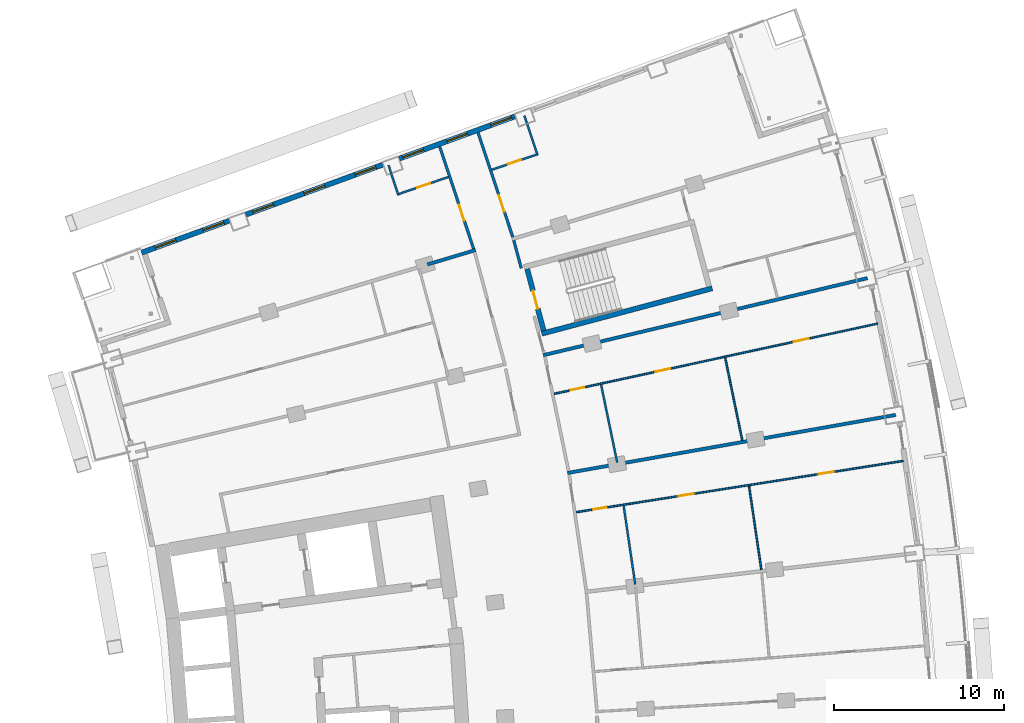
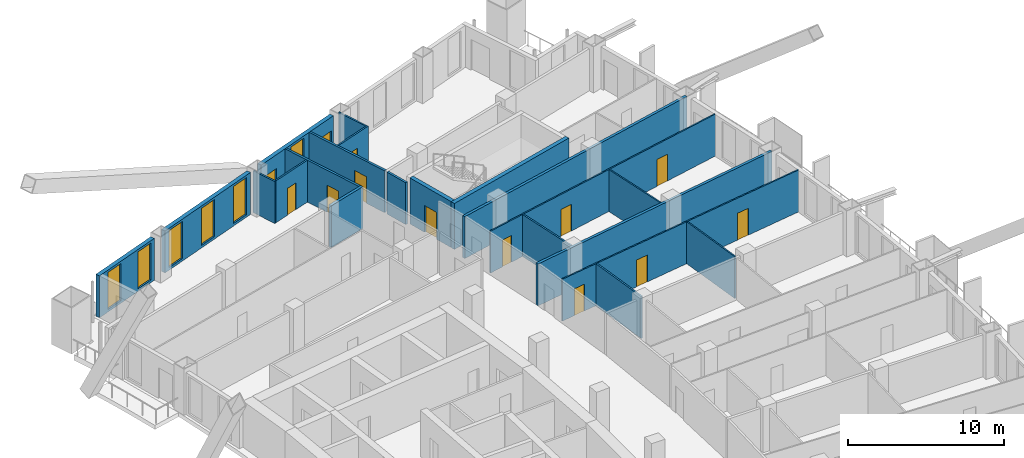
# One storey, part 20 of 25: 21 walls, 11 doors, 8 windows, 19 openings.
"""IFC4 building model written with IfcOpenShell, lengths in metres."""

from ifc_helpers import new_model, si_unit, direction, frame, frame_2d, origin, place, context, subcontext, project, spatial, rectangle, extrude, material, layer, layer_set, type_object, element, fill, save


model = new_model("IFC4")

# Units and contexts
model_context = context("Model", 3, precision=1e-05, world=origin(), true_north=direction((0.0, 1.0)))
body_context = subcontext(model_context, "Body", "Model", "MODEL_VIEW")
ifc_project = project(units=[si_unit("LENGTHUNIT", "METRE"), si_unit("AREAUNIT", "SQUARE_METRE"), si_unit("VOLUMEUNIT", "CUBIC_METRE"), si_unit("PLANEANGLEUNIT", "RADIAN"), si_unit("MASSUNIT", "GRAM", prefix="KILO")], contexts=[model_context])

# Site, building, storey
site_placement = place(None, origin())
site = spatial("IfcSite", under=ifc_project, at=site_placement, CompositionType="ELEMENT")
building_placement = place(site_placement, origin())
building = spatial("IfcBuilding", under=site, at=building_placement, Name="Alderwake Tower", CompositionType="ELEMENT")
storey_placement = place(building_placement, frame((0.0, 0.0, 114.800048828125)))
storey = spatial("IfcBuildingStorey", under=building, at=storey_placement, Name="L28", CompositionType="ELEMENT", Elevation=114.800048828125)

# Wall
ifc_material_1 = material(Name="Concrete C70/85", Category="concrete")
ifc_layer_1 = layer(ifc_material_1, 0.300048828125)
ifc_layer_set_1 = layer_set([ifc_layer_1], Name="Core wall stair enclosure 300 C70-85")
wall_type_1 = type_object("IfcWallType", Name="Core wall stair enclosure 300 C70-85", PredefinedType="SHEAR", material=ifc_layer_set_1)
wall_1_placement = place(storey_placement, frame((37.75390625, 90.268798828125, 0.0), z_axis=(0.0, 0.0, 1.0), x_axis=(0.966309214305, 0.257383958996, 0.0)))
element("IfcWall", 1, at=wall_1_placement, inside=storey, type_object=wall_type_1, Name="Core wall CW.084", PredefinedType="SHEAR", context=body_context, shape_type="SweptSolid", body=[
    extrude(rectangle(XDim=10.360107421875, YDim=0.300048828125, at=frame_2d((5.18017578125, 0.0))), origin(), (0.0, 0.0, 1.0), 3.599853515625),
])

# Wall, opening, door
wall_2_placement = place(storey_placement, frame((37.8603515625, 90.452392578125, 0.0), z_axis=(0.0, 0.0, 1.0), x_axis=(-0.257411420208, 0.966301899381, 0.0)))
wall_2 = element("IfcWall", 2, at=wall_2_placement, inside=storey, type_object=wall_type_1, Name="Core wall CW.083", PredefinedType="SHEAR", context=body_context, shape_type="SweptSolid", body=[
    extrude(rectangle(XDim=3.750244140625, YDim=0.300048828125, at=frame_2d((1.875, 0.0))), origin(), (0.0, 0.0, 1.0), 3.599853515625),
])
opening_1_placement = place(wall_2_placement, frame((1.324951171875, 0.0, 0.0)))
opening_1 = element("IfcOpeningElement", 3, at=opening_1_placement, cuts=wall_2, Name="Opening C062", PredefinedType="OPENING", context=body_context, shape_type="SweptSolid", body=[
    extrude(rectangle(XDim=1.10009765625, YDim=2.10009765625, at=frame_2d((0.550048828125, 1.050048828125))), frame((0.0, 0.159912109375, 0.0), z_axis=(0.0, -1.0, 0.0), x_axis=(1.0, 0.0, 0.0)), (0.0, 0.0, 1.0), 0.320068359375),
])
ifc_material_2 = material(Name="Steel-framed fire door leaf", Category="steel")
door_type_1 = type_object("IfcDoorType", Name="Core stair door 1100 fire-rated", OperationType="SINGLE_SWING_LEFT", PredefinedType="DOOR", material=ifc_material_2)
door_1_placement = place(opening_1_placement, origin())
door_1 = element("IfcDoor", 4, at=door_1_placement, inside=storey, type_object=door_type_1, Name="Stair door", OperationType="SINGLE_SWING_LEFT", OverallHeight=2.10009765625, OverallWidth=1.10009765625, PredefinedType="DOOR", context=body_context, shape_type="SweptSolid", body=[
    extrude(rectangle(XDim=1.10009765625, YDim=2.10009765625, at=frame_2d((0.550048828125, 1.050048828125))), frame((0.0, 0.02490234375, 0.0), z_axis=(0.0, -1.0, 0.0), x_axis=(1.0, 0.0, 0.0)), (0.0, 0.0, 1.0), 0.050048828125),
])
fill(opening_1, door_1)

ifc_material_3 = material(Name="Gypsum board on metal studs, rated")
ifc_layer_2 = layer(ifc_material_3, 0.159912109375)
ifc_layer_set_2 = layer_set([ifc_layer_2], Name="Corridor wall 160")
wall_type_2 = type_object("IfcWallType", Name="Corridor wall 160", PredefinedType="PARTITIONING", material=ifc_layer_set_2)
wall_3_placement = place(storey_placement, frame((33.75146484375, 95.2548828125, 0.0), z_axis=(0.0, 0.0, 1.0), x_axis=(-0.315406156735, 0.948956772616, 0.0)))
wall_3 = element("IfcWall", 5, at=wall_3_placement, inside=storey, type_object=wall_type_2, Name="WL/L28/W20", PredefinedType="PARTITIONING", context=body_context, shape_type="SweptSolid", body=[
    extrude(rectangle(XDim=6.330078125, YDim=0.159912109375, at=frame_2d((3.1650390625, 0.0))), origin(), (0.0, 0.0, 1.0), 3.280029296875),
])
opening_2_placement = place(wall_3_placement, frame((1.737060546875, 0.0, 0.0)))
opening_2 = element("IfcOpeningElement", 6, at=opening_2_placement, cuts=wall_3, Name="Opening R08-U14.1", PredefinedType="OPENING", context=body_context, shape_type="SweptSolid", body=[
    extrude(rectangle(XDim=1.0, YDim=2.10009765625, at=frame_2d((0.5, 1.050048828125))), frame((0.0, 0.08984375, 0.0), z_axis=(0.0, -1.0, 0.0), x_axis=(1.0, 0.0, 0.0)), (0.0, 0.0, 1.0), 0.179931640625),
])
ifc_material_4 = material(Name="Solid timber leaf in steel frame", Category="steel")
door_type_2 = type_object("IfcDoorType", Name="Flat entrance door 1000 fire-rated", OperationType="SINGLE_SWING_LEFT", PredefinedType="DOOR", material=ifc_material_4)
door_2_placement = place(opening_2_placement, origin())
door_2 = element("IfcDoor", 7, at=door_2_placement, inside=storey, type_object=door_type_2, Name="DR/L28/U14.1", OperationType="SINGLE_SWING_LEFT", OverallHeight=2.10009765625, OverallWidth=1.0, PredefinedType="DOOR", context=body_context, shape_type="SweptSolid", body=[
    extrude(rectangle(XDim=1.0, YDim=2.10009765625, at=frame_2d((0.5, 1.050048828125))), frame((0.0, 0.02490234375, 0.0), z_axis=(0.0, -1.0, 0.0), x_axis=(1.0, 0.0, 0.0)), (0.0, 0.0, 1.0), 0.050048828125),
])
fill(opening_2, door_2)

wall_4_placement = place(storey_placement, frame((34.010986328125, 102.083984375, 0.0), z_axis=(0.0, 0.0, 1.0), x_axis=(0.315140606423, -0.949044992708, 0.0)))
wall_4 = element("IfcWall", 8, at=wall_4_placement, inside=storey, type_object=wall_type_2, Name="WL/L28/W28", PredefinedType="PARTITIONING", context=body_context, shape_type="SweptSolid", body=[
    extrude(rectangle(XDim=6.46875, YDim=0.159912109375, at=frame_2d((3.234375, 0.0))), origin(), (0.0, 0.0, 1.0), 3.280029296875),
])
opening_3_placement = place(wall_4_placement, frame((3.897705078125, 0.0, 0.0)))
opening_3 = element("IfcOpeningElement", 9, at=opening_3_placement, cuts=wall_4, Name="Opening R08-U04.1", PredefinedType="OPENING", context=body_context, shape_type="SweptSolid", body=[
    extrude(rectangle(XDim=1.0, YDim=2.10009765625, at=frame_2d((0.5, 1.050048828125))), frame((0.0, 0.08984375, 0.0), z_axis=(0.0, -1.0, 0.0), x_axis=(1.0, 0.0, 0.0)), (0.0, 0.0, 1.0), 0.179931640625),
])
door_3_placement = place(opening_3_placement, origin())
door_3 = element("IfcDoor", 10, at=door_3_placement, inside=storey, type_object=door_type_2, Name="DR/L28/U04.1", OperationType="SINGLE_SWING_LEFT", OverallHeight=2.10009765625, OverallWidth=1.0, PredefinedType="DOOR", context=body_context, shape_type="SweptSolid", body=[
    extrude(rectangle(XDim=1.0, YDim=2.10009765625, at=frame_2d((0.5, 1.050048828125))), frame((0.0, 0.02490234375, 0.0), z_axis=(0.0, -1.0, 0.0), x_axis=(1.0, 0.0, 0.0)), (0.0, 0.0, 1.0), 0.050048828125),
])
fill(opening_3, door_3)

# Wall
wall_5_placement = place(storey_placement, frame((36.549072265625, 94.110107421875, 0.0), z_axis=(0.0, 0.0, 1.0), x_axis=(-0.259813977097, 0.965658685719, 0.0)))
element("IfcWall", 11, at=wall_5_placement, inside=storey, type_object=wall_type_2, Name="WL/L28/W31", PredefinedType="PARTITIONING", context=body_context, shape_type="SweptSolid", body=[
    extrude(rectangle(XDim=1.70166015625, YDim=0.159912109375, at=frame_2d((0.850830078125, 0.0))), origin(), (0.0, 0.0, 1.0), 3.280029296875),
])

# Wall, openings, windows
ifc_material_5 = material(Name="Bronze metal cladding on lightweight framing")
ifc_layer_3 = layer(ifc_material_5, 0.300048828125)
ifc_layer_set_3 = layer_set([ifc_layer_3], Name="External wall EW2 bronze metal cladding")
wall_type_3 = type_object("IfcWallType", Name="External wall EW2 bronze metal cladding", PredefinedType="SOLIDWALL", material=ifc_layer_set_3)
wall_6_placement = place(storey_placement, frame((36.16845703125, 103.0322265625, 0.0), z_axis=(0.0, 0.0, 1.0), x_axis=(-0.939375665231, -0.342889719256, 0.0)))
wall_6 = element("IfcWall", 12, at=wall_6_placement, inside=storey, type_object=wall_type_3, Name="External wall 27", PredefinedType="SOLIDWALL", context=body_context, shape_type="SweptSolid", body=[
    extrude(rectangle(XDim=7.212646484375, YDim=0.300048828125, at=frame_2d((3.6064453125, 0.0))), origin(), (0.0, 0.0, 1.0), 3.280029296875),
])
opening_4_placement = place(wall_6_placement, frame((0.20068359375, 0.0, 1.0)))
opening_4 = element("IfcOpeningElement", 13, at=opening_4_placement, cuts=wall_6, Name="Opening W2", PredefinedType="OPENING", context=body_context, shape_type="SweptSolid", body=[
    extrude(rectangle(XDim=1.300048828125, YDim=1.199951171875, at=frame_2d((0.64990234375, 0.60009765625))), frame((0.0, 0.159912109375, 0.0), z_axis=(0.0, -1.0, 0.0), x_axis=(1.0, 0.0, 0.0)), (0.0, 0.0, 1.0), 0.320068359375),
])
opening_5_placement = place(wall_6_placement, frame((2.956298828125, 0.0, 0.199951171875)))
opening_5 = element("IfcOpeningElement", 14, at=opening_5_placement, cuts=wall_6, Name="Opening W1", PredefinedType="OPENING", context=body_context, shape_type="SweptSolid", body=[
    extrude(rectangle(XDim=1.300048828125, YDim=2.89990234375, at=frame_2d((0.64990234375, 1.449951171875))), frame((0.0, 0.159912109375, 0.0), z_axis=(0.0, -1.0, 0.0), x_axis=(1.0, 0.0, 0.0)), (0.0, 0.0, 1.0), 0.320068359375),
])
opening_6_placement = place(wall_6_placement, frame((5.7119140625, 0.0, 1.0)))
opening_6 = element("IfcOpeningElement", 15, at=opening_6_placement, cuts=wall_6, Name="Opening W2", PredefinedType="OPENING", context=body_context, shape_type="SweptSolid", body=[
    extrude(rectangle(XDim=1.300048828125, YDim=1.199951171875, at=frame_2d((0.64990234375, 0.60009765625))), frame((0.0, 0.159912109375, 0.0), z_axis=(0.0, -1.0, 0.0), x_axis=(1.0, 0.0, 0.0)), (0.0, 0.0, 1.0), 0.320068359375),
])
ifc_material_6 = material(Name="Bronze tinted glass in aluminium frame", Category="aluminium")
window_type_1 = type_object("IfcWindowType", Name="Window W1 tall fixed and vent", PartitioningType="DOUBLE_PANEL_VERTICAL", PredefinedType="WINDOW", material=ifc_material_6)
window_1_placement = place(opening_5_placement, origin())
window_1 = element("IfcWindow", 16, at=window_1_placement, inside=storey, type_object=window_type_1, Name="Window W1 tall fixed and vent", OverallHeight=2.89990234375, OverallWidth=1.300048828125, PartitioningType="DOUBLE_PANEL_VERTICAL", PredefinedType="WINDOW", context=body_context, shape_type="SweptSolid", body=[
    extrude(rectangle(XDim=1.300048828125, YDim=2.89990234375, at=frame_2d((0.64990234375, 1.449951171875))), frame((0.0, 0.030029296875, 0.0), z_axis=(0.0, -1.0, 0.0), x_axis=(1.0, 0.0, 0.0)), (0.0, 0.0, 1.0), 0.06005859375),
])
fill(opening_5, window_1)
ifc_material_7 = material(Name="Bronze tinted glass in aluminium frame", Category="aluminium")
window_type_2 = type_object("IfcWindowType", Name="Window W2 kitchen and bath", PartitioningType="SINGLE_PANEL", PredefinedType="WINDOW", material=ifc_material_7)
window_2_placement = place(opening_4_placement, origin())
window_2 = element("IfcWindow", 17, at=window_2_placement, inside=storey, type_object=window_type_2, Name="Window W2 kitchen and bath", OverallHeight=1.199951171875, OverallWidth=1.300048828125, PartitioningType="SINGLE_PANEL", PredefinedType="WINDOW", context=body_context, shape_type="SweptSolid", body=[
    extrude(rectangle(XDim=1.300048828125, YDim=1.199951171875, at=frame_2d((0.64990234375, 0.60009765625))), frame((0.0, 0.030029296875, 0.0), z_axis=(0.0, -1.0, 0.0), x_axis=(1.0, 0.0, 0.0)), (0.0, 0.0, 1.0), 0.06005859375),
])
fill(opening_4, window_2)
window_3_placement = place(opening_6_placement, origin())
window_3 = element("IfcWindow", 18, at=window_3_placement, inside=storey, type_object=window_type_2, Name="Window W2 kitchen and bath", OverallHeight=1.199951171875, OverallWidth=1.300048828125, PartitioningType="SINGLE_PANEL", PredefinedType="WINDOW", context=body_context, shape_type="SweptSolid", body=[
    extrude(rectangle(XDim=1.300048828125, YDim=1.199951171875, at=frame_2d((0.64990234375, 0.60009765625))), frame((0.0, 0.030029296875, 0.0), z_axis=(0.0, -1.0, 0.0), x_axis=(1.0, 0.0, 0.0)), (0.0, 0.0, 1.0), 0.06005859375),
])
fill(opening_6, window_3)

wall_7_placement = place(storey_placement, frame((28.402587890625, 100.197509765625, 0.0), z_axis=(0.0, 0.0, 1.0), x_axis=(-0.939364770023, -0.342919566137, 0.0)))
wall_7 = element("IfcWall", 19, at=wall_7_placement, inside=storey, type_object=wall_type_3, Name="External wall 28", PredefinedType="SOLIDWALL", context=body_context, shape_type="SweptSolid", body=[
    extrude(rectangle(XDim=8.54541015625, YDim=0.300048828125, at=frame_2d((4.272705078125, 0.0))), origin(), (0.0, 0.0, 1.0), 3.280029296875),
])
opening_7_placement = place(wall_7_placement, frame((0.4228515625, 0.0, 0.199951171875)))
opening_7 = element("IfcOpeningElement", 20, at=opening_7_placement, cuts=wall_7, Name="Opening W1", PredefinedType="OPENING", context=body_context, shape_type="SweptSolid", body=[
    extrude(rectangle(XDim=1.300048828125, YDim=2.89990234375, at=frame_2d((0.64990234375, 1.449951171875))), frame((0.0, 0.159912109375, 0.0), z_axis=(0.0, -1.0, 0.0), x_axis=(1.0, 0.0, 0.0)), (0.0, 0.0, 1.0), 0.320068359375),
])
opening_8_placement = place(wall_7_placement, frame((3.622802734375, 0.0, 0.199951171875)))
opening_8 = element("IfcOpeningElement", 21, at=opening_8_placement, cuts=wall_7, Name="Opening W1", PredefinedType="OPENING", context=body_context, shape_type="SweptSolid", body=[
    extrude(rectangle(XDim=1.300048828125, YDim=2.89990234375, at=frame_2d((0.64990234375, 1.449951171875))), frame((0.0, 0.159912109375, 0.0), z_axis=(0.0, -1.0, 0.0), x_axis=(1.0, 0.0, 0.0)), (0.0, 0.0, 1.0), 0.320068359375),
])
opening_9_placement = place(wall_7_placement, frame((6.822998046875, 0.0, 0.199951171875)))
opening_9 = element("IfcOpeningElement", 22, at=opening_9_placement, cuts=wall_7, Name="Opening W1", PredefinedType="OPENING", context=body_context, shape_type="SweptSolid", body=[
    extrude(rectangle(XDim=1.300048828125, YDim=2.89990234375, at=frame_2d((0.64990234375, 1.449951171875))), frame((0.0, 0.159912109375, 0.0), z_axis=(0.0, -1.0, 0.0), x_axis=(1.0, 0.0, 0.0)), (0.0, 0.0, 1.0), 0.320068359375),
])
window_4_placement = place(opening_7_placement, origin())
window_4 = element("IfcWindow", 23, at=window_4_placement, inside=storey, type_object=window_type_1, Name="Window W1 tall fixed and vent", OverallHeight=2.89990234375, OverallWidth=1.300048828125, PartitioningType="DOUBLE_PANEL_VERTICAL", PredefinedType="WINDOW", context=body_context, shape_type="SweptSolid", body=[
    extrude(rectangle(XDim=1.300048828125, YDim=2.89990234375, at=frame_2d((0.64990234375, 1.449951171875))), frame((0.0, 0.030029296875, 0.0), z_axis=(0.0, -1.0, 0.0), x_axis=(1.0, 0.0, 0.0)), (0.0, 0.0, 1.0), 0.06005859375),
])
fill(opening_7, window_4)
window_5_placement = place(opening_8_placement, origin())
window_5 = element("IfcWindow", 24, at=window_5_placement, inside=storey, type_object=window_type_1, Name="Window W1 tall fixed and vent", OverallHeight=2.89990234375, OverallWidth=1.300048828125, PartitioningType="DOUBLE_PANEL_VERTICAL", PredefinedType="WINDOW", context=body_context, shape_type="SweptSolid", body=[
    extrude(rectangle(XDim=1.300048828125, YDim=2.89990234375, at=frame_2d((0.64990234375, 1.449951171875))), frame((0.0, 0.030029296875, 0.0), z_axis=(0.0, -1.0, 0.0), x_axis=(1.0, 0.0, 0.0)), (0.0, 0.0, 1.0), 0.06005859375),
])
fill(opening_8, window_5)
window_6_placement = place(opening_9_placement, origin())
window_6 = element("IfcWindow", 25, at=window_6_placement, inside=storey, type_object=window_type_1, Name="Window W1 tall fixed and vent", OverallHeight=2.89990234375, OverallWidth=1.300048828125, PartitioningType="DOUBLE_PANEL_VERTICAL", PredefinedType="WINDOW", context=body_context, shape_type="SweptSolid", body=[
    extrude(rectangle(XDim=1.300048828125, YDim=2.89990234375, at=frame_2d((0.64990234375, 1.449951171875))), frame((0.0, 0.030029296875, 0.0), z_axis=(0.0, -1.0, 0.0), x_axis=(1.0, 0.0, 0.0)), (0.0, 0.0, 1.0), 0.06005859375),
])
fill(opening_9, window_6)

wall_8_placement = place(storey_placement, frame((19.38427734375, 96.905517578125, 0.0), z_axis=(0.0, 0.0, 1.0), x_axis=(-0.939366897407, -0.342913738506, 0.0)))
wall_8 = element("IfcWall", 26, at=wall_8_placement, inside=storey, type_object=wall_type_3, Name="External wall 29", PredefinedType="SOLIDWALL", context=body_context, shape_type="SweptSolid", body=[
    extrude(rectangle(XDim=5.474365234375, YDim=0.300048828125, at=frame_2d((2.7373046875, 0.0))), origin(), (0.0, 0.0, 1.0), 3.280029296875),
])
opening_10_placement = place(wall_8_placement, frame((0.322998046875, 0.0, 0.199951171875)))
opening_10 = element("IfcOpeningElement", 27, at=opening_10_placement, cuts=wall_8, Name="Opening W1", PredefinedType="OPENING", context=body_context, shape_type="SweptSolid", body=[
    extrude(rectangle(XDim=1.300048828125, YDim=2.89990234375, at=frame_2d((0.64990234375, 1.449951171875))), frame((0.0, 0.159912109375, 0.0), z_axis=(0.0, -1.0, 0.0), x_axis=(1.0, 0.0, 0.0)), (0.0, 0.0, 1.0), 0.320068359375),
])
opening_11_placement = place(wall_8_placement, frame((3.32373046875, 0.0, 0.199951171875)))
opening_11 = element("IfcOpeningElement", 28, at=opening_11_placement, cuts=wall_8, Name="Opening W1", PredefinedType="OPENING", context=body_context, shape_type="SweptSolid", body=[
    extrude(rectangle(XDim=1.300048828125, YDim=2.89990234375, at=frame_2d((0.64990234375, 1.449951171875))), frame((0.0, 0.159912109375, 0.0), z_axis=(0.0, -1.0, 0.0), x_axis=(1.0, 0.0, 0.0)), (0.0, 0.0, 1.0), 0.320068359375),
])
window_7_placement = place(opening_10_placement, origin())
window_7 = element("IfcWindow", 29, at=window_7_placement, inside=storey, type_object=window_type_1, Name="Window W1 tall fixed and vent", OverallHeight=2.89990234375, OverallWidth=1.300048828125, PartitioningType="DOUBLE_PANEL_VERTICAL", PredefinedType="WINDOW", context=body_context, shape_type="SweptSolid", body=[
    extrude(rectangle(XDim=1.300048828125, YDim=2.89990234375, at=frame_2d((0.64990234375, 1.449951171875))), frame((0.0, 0.030029296875, 0.0), z_axis=(0.0, -1.0, 0.0), x_axis=(1.0, 0.0, 0.0)), (0.0, 0.0, 1.0), 0.06005859375),
])
fill(opening_10, window_7)
window_8_placement = place(opening_11_placement, origin())
window_8 = element("IfcWindow", 30, at=window_8_placement, inside=storey, type_object=window_type_1, Name="Window W1 tall fixed and vent", OverallHeight=2.89990234375, OverallWidth=1.300048828125, PartitioningType="DOUBLE_PANEL_VERTICAL", PredefinedType="WINDOW", context=body_context, shape_type="SweptSolid", body=[
    extrude(rectangle(XDim=1.300048828125, YDim=2.89990234375, at=frame_2d((0.64990234375, 1.449951171875))), frame((0.0, 0.030029296875, 0.0), z_axis=(0.0, -1.0, 0.0), x_axis=(1.0, 0.0, 0.0)), (0.0, 0.0, 1.0), 0.06005859375),
])
fill(opening_11, window_8)

# Walls
ifc_material_8 = material(Name="Dense block masonry wall", Category="masonry")
ifc_layer_4 = layer(ifc_material_8, 0.199951171875)
ifc_layer_set_4 = layer_set([ifc_layer_4], Name="Party wall 200")
wall_type_4 = type_object("IfcWallType", Name="Party wall 200", PredefinedType="SOLIDWALL", material=ifc_layer_set_4)
wall_9_placement = place(storey_placement, frame((33.859619140625, 95.182861328125, 0.0), z_axis=(0.0, 0.0, 1.0), x_axis=(-0.957990293796, -0.286800622373, 0.0)))
element("IfcWall", 31, at=wall_9_placement, inside=storey, type_object=wall_type_4, Name="WL/L28/W04", PredefinedType="SOLIDWALL", context=body_context, shape_type="SweptSolid", body=[
    extrude(rectangle(XDim=2.947021484375, YDim=0.199951171875, at=frame_2d((1.4736328125, 0.0))), origin(), (0.0, 0.0, 1.0), 3.280029296875),
])
wall_10_placement = place(storey_placement, frame((37.839111328125, 89.006591796875, 0.0), z_axis=(0.0, 0.0, 1.0), x_axis=(0.97289391961, 0.23125185661, 0.0)))
element("IfcWall", 32, at=wall_10_placement, inside=storey, type_object=wall_type_4, Name="WL/L28/W07", PredefinedType="SOLIDWALL", context=body_context, shape_type="SweptSolid", body=[
    extrude(rectangle(XDim=19.57763671875, YDim=0.199951171875, at=frame_2d((9.788818359375, 0.0))), origin(), (0.0, 0.0, 1.0), 3.280029296875),
])
wall_11_placement = place(storey_placement, frame((39.269287109375, 82.087158203125, 0.0), z_axis=(0.0, 0.0, 1.0), x_axis=(0.984720105895, 0.174144517702, 0.0)))
element("IfcWall", 33, at=wall_11_placement, inside=storey, type_object=wall_type_4, Name="WL/L28/W08", PredefinedType="SOLIDWALL", context=body_context, shape_type="SweptSolid", body=[
    extrude(rectangle(XDim=19.5810546875, YDim=0.199951171875, at=frame_2d((9.79052734375, 0.0))), origin(), (0.0, 0.0, 1.0), 3.280029296875),
])

# Wall, openings, doors
ifc_material_9 = material(Name="Gypsum board on metal studs")
ifc_layer_5 = layer(ifc_material_9, 0.10009765625)
ifc_layer_set_5 = layer_set([ifc_layer_5], Name="Unit partition 100")
wall_type_5 = type_object("IfcWallType", Name="Unit partition 100", PredefinedType="PARTITIONING", material=ifc_layer_set_5)
wall_12_placement = place(storey_placement, frame((57.491943359375, 90.864013671875, 0.0), z_axis=(0.0, 0.0, 1.0), x_axis=(-0.977238475914, -0.212143727677, 0.0)))
wall_12 = element("IfcWall", 34, at=wall_12_placement, inside=storey, type_object=wall_type_5, Name="WL/L28/W67", PredefinedType="PARTITIONING", context=body_context, shape_type="SweptSolid", body=[
    extrude(rectangle(XDim=19.462890625, YDim=0.10009765625, at=frame_2d((9.7314453125, 0.0))), origin(), (0.0, 0.0, 1.0), 3.280029296875),
])
opening_12_placement = place(wall_12_placement, frame((12.46533203125, 0.0, 0.0)))
opening_12 = element("IfcOpeningElement", 35, at=opening_12_placement, cuts=wall_12, Name="Opening R08-U10.1", PredefinedType="OPENING", context=body_context, shape_type="SweptSolid", body=[
    extrude(rectangle(XDim=0.89990234375, YDim=2.10009765625, at=frame_2d((0.449951171875, 1.050048828125))), frame((0.0, 0.06005859375, 0.0), z_axis=(0.0, -1.0, 0.0), x_axis=(1.0, 0.0, 0.0)), (0.0, 0.0, 1.0), 0.1201171875),
])
opening_13_placement = place(wall_12_placement, frame((17.65380859375, 0.0, 0.0)))
opening_13 = element("IfcOpeningElement", 36, at=opening_13_placement, cuts=wall_12, Name="Opening R08-U10.3", PredefinedType="OPENING", context=body_context, shape_type="SweptSolid", body=[
    extrude(rectangle(XDim=0.800048828125, YDim=2.10009765625, at=frame_2d((0.39990234375, 1.050048828125))), frame((0.0, 0.06005859375, 0.0), z_axis=(0.0, -1.0, 0.0), x_axis=(1.0, 0.0, 0.0)), (0.0, 0.0, 1.0), 0.1201171875),
])
opening_14_placement = place(wall_12_placement, frame((4.1435546875, 0.0, 0.0)))
opening_14 = element("IfcOpeningElement", 37, at=opening_14_placement, cuts=wall_12, Name="Opening R08-U10.4", PredefinedType="OPENING", context=body_context, shape_type="SweptSolid", body=[
    extrude(rectangle(XDim=0.89990234375, YDim=2.10009765625, at=frame_2d((0.449951171875, 1.050048828125))), frame((0.0, 0.06005859375, 0.0), z_axis=(0.0, -1.0, 0.0), x_axis=(1.0, 0.0, 0.0)), (0.0, 0.0, 1.0), 0.1201171875),
])
ifc_material_10 = material(Name="Painted timber leaf", Category="wood")
door_type_3 = type_object("IfcDoorType", Name="Bathroom door 800", OperationType="SINGLE_SWING_LEFT", PredefinedType="DOOR", material=ifc_material_10)
door_4_placement = place(opening_13_placement, origin())
door_4 = element("IfcDoor", 38, at=door_4_placement, inside=storey, type_object=door_type_3, Name="DR/L28/U10.3", OperationType="SINGLE_SWING_LEFT", OverallHeight=2.10009765625, OverallWidth=0.800048828125, PredefinedType="DOOR", context=body_context, shape_type="SweptSolid", body=[
    extrude(rectangle(XDim=0.800048828125, YDim=2.10009765625, at=frame_2d((0.39990234375, 1.050048828125))), frame((0.0, 0.02490234375, 0.0), z_axis=(0.0, -1.0, 0.0), x_axis=(1.0, 0.0, 0.0)), (0.0, 0.0, 1.0), 0.050048828125),
])
fill(opening_13, door_4)
ifc_material_11 = material(Name="Painted timber leaf", Category="wood")
door_type_4 = type_object("IfcDoorType", Name="Room door 900", OperationType="SINGLE_SWING_LEFT", PredefinedType="DOOR", material=ifc_material_11)
door_5_placement = place(opening_12_placement, origin())
door_5 = element("IfcDoor", 39, at=door_5_placement, inside=storey, type_object=door_type_4, Name="DR/L28/U10.1", OperationType="SINGLE_SWING_LEFT", OverallHeight=2.10009765625, OverallWidth=0.89990234375, PredefinedType="DOOR", context=body_context, shape_type="SweptSolid", body=[
    extrude(rectangle(XDim=0.89990234375, YDim=2.10009765625, at=frame_2d((0.449951171875, 1.050048828125))), frame((0.0, 0.02490234375, 0.0), z_axis=(0.0, -1.0, 0.0), x_axis=(1.0, 0.0, 0.0)), (0.0, 0.0, 1.0), 0.050048828125),
])
fill(opening_12, door_5)
door_6_placement = place(opening_14_placement, origin())
door_6 = element("IfcDoor", 40, at=door_6_placement, inside=storey, type_object=door_type_4, Name="DR/L28/U10.4", OperationType="SINGLE_SWING_LEFT", OverallHeight=2.10009765625, OverallWidth=0.89990234375, PredefinedType="DOOR", context=body_context, shape_type="SweptSolid", body=[
    extrude(rectangle(XDim=0.89990234375, YDim=2.10009765625, at=frame_2d((0.449951171875, 1.050048828125))), frame((0.0, 0.02490234375, 0.0), z_axis=(0.0, -1.0, 0.0), x_axis=(1.0, 0.0, 0.0)), (0.0, 0.0, 1.0), 0.050048828125),
])
fill(opening_14, door_6)

wall_13_placement = place(storey_placement, frame((58.998046875, 82.797119140625, 0.0), z_axis=(0.0, 0.0, 1.0), x_axis=(-0.987932626215, -0.154884234383, 0.0)))
wall_13 = element("IfcWall", 41, at=wall_13_placement, inside=storey, type_object=wall_type_5, Name="WL/L28/W68", PredefinedType="PARTITIONING", context=body_context, shape_type="SweptSolid", body=[
    extrude(rectangle(XDim=19.4638671875, YDim=0.10009765625, at=frame_2d((9.73193359375, 0.0))), origin(), (0.0, 0.0, 1.0), 3.280029296875),
])
opening_15_placement = place(wall_13_placement, frame((12.464111328125, 0.0, 0.0)))
opening_15 = element("IfcOpeningElement", 42, at=opening_15_placement, cuts=wall_13, Name="Opening R08-U09.1", PredefinedType="OPENING", context=body_context, shape_type="SweptSolid", body=[
    extrude(rectangle(XDim=0.89990234375, YDim=2.10009765625, at=frame_2d((0.449951171875, 1.050048828125))), frame((0.0, 0.06005859375, 0.0), z_axis=(0.0, -1.0, 0.0), x_axis=(1.0, 0.0, 0.0)), (0.0, 0.0, 1.0), 0.1201171875),
])
opening_16_placement = place(wall_13_placement, frame((17.65380859375, 0.0, 0.0)))
opening_16 = element("IfcOpeningElement", 43, at=opening_16_placement, cuts=wall_13, Name="Opening R08-U09.3", PredefinedType="OPENING", context=body_context, shape_type="SweptSolid", body=[
    extrude(rectangle(XDim=0.800048828125, YDim=2.10009765625, at=frame_2d((0.39990234375, 1.050048828125))), frame((0.0, 0.06005859375, 0.0), z_axis=(0.0, -1.0, 0.0), x_axis=(1.0, 0.0, 0.0)), (0.0, 0.0, 1.0), 0.1201171875),
])
opening_17_placement = place(wall_13_placement, frame((4.14208984375, 0.0, 0.0)))
opening_17 = element("IfcOpeningElement", 44, at=opening_17_placement, cuts=wall_13, Name="Opening R08-U09.4", PredefinedType="OPENING", context=body_context, shape_type="SweptSolid", body=[
    extrude(rectangle(XDim=0.89990234375, YDim=2.10009765625, at=frame_2d((0.449951171875, 1.050048828125))), frame((0.0, 0.06005859375, 0.0), z_axis=(0.0, -1.0, 0.0), x_axis=(1.0, 0.0, 0.0)), (0.0, 0.0, 1.0), 0.1201171875),
])
door_7_placement = place(opening_16_placement, origin())
door_7 = element("IfcDoor", 45, at=door_7_placement, inside=storey, type_object=door_type_3, Name="DR/L28/U09.3", OperationType="SINGLE_SWING_LEFT", OverallHeight=2.10009765625, OverallWidth=0.800048828125, PredefinedType="DOOR", context=body_context, shape_type="SweptSolid", body=[
    extrude(rectangle(XDim=0.800048828125, YDim=2.10009765625, at=frame_2d((0.39990234375, 1.050048828125))), frame((0.0, 0.02490234375, 0.0), z_axis=(0.0, -1.0, 0.0), x_axis=(1.0, 0.0, 0.0)), (0.0, 0.0, 1.0), 0.050048828125),
])
fill(opening_16, door_7)
door_8_placement = place(opening_15_placement, origin())
door_8 = element("IfcDoor", 46, at=door_8_placement, inside=storey, type_object=door_type_4, Name="DR/L28/U09.1", OperationType="SINGLE_SWING_LEFT", OverallHeight=2.10009765625, OverallWidth=0.89990234375, PredefinedType="DOOR", context=body_context, shape_type="SweptSolid", body=[
    extrude(rectangle(XDim=0.89990234375, YDim=2.10009765625, at=frame_2d((0.449951171875, 1.050048828125))), frame((0.0, 0.02490234375, 0.0), z_axis=(0.0, -1.0, 0.0), x_axis=(1.0, 0.0, 0.0)), (0.0, 0.0, 1.0), 0.050048828125),
])
fill(opening_15, door_8)
door_9_placement = place(opening_17_placement, origin())
door_9 = element("IfcDoor", 47, at=door_9_placement, inside=storey, type_object=door_type_4, Name="DR/L28/U09.4", OperationType="SINGLE_SWING_LEFT", OverallHeight=2.10009765625, OverallWidth=0.89990234375, PredefinedType="DOOR", context=body_context, shape_type="SweptSolid", body=[
    extrude(rectangle(XDim=0.89990234375, YDim=2.10009765625, at=frame_2d((0.449951171875, 1.050048828125))), frame((0.0, 0.02490234375, 0.0), z_axis=(0.0, -1.0, 0.0), x_axis=(1.0, 0.0, 0.0)), (0.0, 0.0, 1.0), 0.050048828125),
])
fill(opening_17, door_9)

# Walls
wall_14_placement = place(storey_placement, frame((49.53369140625, 84.0048828125, 0.0), z_axis=(0.0, 0.0, 1.0), x_axis=(-0.202997574952, 0.979179240264, 0.0)))
element("IfcWall", 48, at=wall_14_placement, inside=storey, type_object=wall_type_5, Name="WL/L28/W79", PredefinedType="PARTITIONING", context=body_context, shape_type="SweptSolid", body=[
    extrude(rectangle(XDim=4.96337890625, YDim=0.10009765625, at=frame_2d((2.481689453125, 0.0))), origin(), (0.0, 0.0, 1.0), 3.280029296875),
])
wall_15_placement = place(storey_placement, frame((50.65234375, 76.4130859375, 0.0), z_axis=(0.0, 0.0, 1.0), x_axis=(-0.145399144846, 0.98937307861, 0.0)))
element("IfcWall", 49, at=wall_15_placement, inside=storey, type_object=wall_type_5, Name="WL/L28/W81", PredefinedType="PARTITIONING", context=body_context, shape_type="SweptSolid", body=[
    extrude(rectangle(XDim=4.965087890625, YDim=0.10009765625, at=frame_2d((2.482421875, 0.0))), origin(), (0.0, 0.0, 1.0), 3.280029296875),
])
ifc_material_12 = material(Name="Moisture resistant gypsum board on metal studs")
ifc_layer_6 = layer(ifc_material_12, 0.1201171875)
ifc_layer_set_6 = layer_set([ifc_layer_6], Name="Wet room partition 120")
wall_type_6 = type_object("IfcWallType", Name="Wet room partition 120", PredefinedType="PARTITIONING", material=ifc_layer_set_6)
wall_16_placement = place(storey_placement, frame((28.7490234375, 100.1640625, 0.0), z_axis=(0.0, 0.0, 1.0), x_axis=(0.314645530733, -0.949209244577, 0.0)))
element("IfcWall", 50, at=wall_16_placement, inside=storey, type_object=wall_type_6, Name="WL/L28/W43", PredefinedType="PARTITIONING", context=body_context, shape_type="SweptSolid", body=[
    extrude(rectangle(XDim=1.85205078125, YDim=0.1201171875, at=frame_2d((0.926025390625, 0.0))), origin(), (0.0, 0.0, 1.0), 3.280029296875),
])

# Wall, opening, door
wall_17_placement = place(storey_placement, frame((29.369873046875, 98.482421875, 0.0), z_axis=(0.0, 0.0, 1.0), x_axis=(0.945919367523, 0.324401834375, 0.0)))
wall_17 = element("IfcWall", 51, at=wall_17_placement, inside=storey, type_object=wall_type_6, Name="WL/L28/W44", PredefinedType="PARTITIONING", context=body_context, shape_type="SweptSolid", body=[
    extrude(rectangle(XDim=3.06005859375, YDim=0.1201171875, at=frame_2d((1.530029296875, 0.0))), origin(), (0.0, 0.0, 1.0), 3.280029296875),
])
opening_18_placement = place(wall_17_placement, frame((1.1298828125, 0.0, 0.0)))
opening_18 = element("IfcOpeningElement", 52, at=opening_18_placement, cuts=wall_17, Name="Opening R08-U14.2", PredefinedType="OPENING", context=body_context, shape_type="SweptSolid", body=[
    extrude(rectangle(XDim=0.800048828125, YDim=2.10009765625, at=frame_2d((0.39990234375, 1.050048828125))), frame((0.0, 0.070068359375, 0.0), z_axis=(0.0, -1.0, 0.0), x_axis=(1.0, 0.0, 0.0)), (0.0, 0.0, 1.0), 0.14013671875),
])
door_10_placement = place(opening_18_placement, origin())
door_10 = element("IfcDoor", 53, at=door_10_placement, inside=storey, type_object=door_type_3, Name="DR/L28/U14.2", OperationType="SINGLE_SWING_LEFT", OverallHeight=2.10009765625, OverallWidth=0.800048828125, PredefinedType="DOOR", context=body_context, shape_type="SweptSolid", body=[
    extrude(rectangle(XDim=0.800048828125, YDim=2.10009765625, at=frame_2d((0.39990234375, 1.050048828125))), frame((0.0, 0.02490234375, 0.0), z_axis=(0.0, -1.0, 0.0), x_axis=(1.0, 0.0, 0.0)), (0.0, 0.0, 1.0), 0.050048828125),
])
fill(opening_18, door_10)

wall_18_placement = place(storey_placement, frame((34.81884765625, 99.901611328125, 0.0), z_axis=(0.0, 0.0, 1.0), x_axis=(0.947119631015, 0.32088067026, 0.0)))
wall_18 = element("IfcWall", 54, at=wall_18_placement, inside=storey, type_object=wall_type_6, Name="WL/L28/W50", PredefinedType="PARTITIONING", context=body_context, shape_type="SweptSolid", body=[
    extrude(rectangle(XDim=2.878173828125, YDim=0.1201171875, at=frame_2d((1.43896484375, 0.0))), origin(), (0.0, 0.0, 1.0), 3.280029296875),
])
opening_19_placement = place(wall_18_placement, frame((1.009765625, 0.0, 0.0)))
opening_19 = element("IfcOpeningElement", 55, at=opening_19_placement, cuts=wall_18, Name="Opening R08-U04.2", PredefinedType="OPENING", context=body_context, shape_type="SweptSolid", body=[
    extrude(rectangle(XDim=0.800048828125, YDim=2.10009765625, at=frame_2d((0.39990234375, 1.050048828125))), frame((0.0, 0.070068359375, 0.0), z_axis=(0.0, -1.0, 0.0), x_axis=(1.0, 0.0, 0.0)), (0.0, 0.0, 1.0), 0.14013671875),
])
door_11_placement = place(opening_19_placement, origin())
door_11 = element("IfcDoor", 56, at=door_11_placement, inside=storey, type_object=door_type_3, Name="DR/L28/U04.2", OperationType="SINGLE_SWING_LEFT", OverallHeight=2.10009765625, OverallWidth=0.800048828125, PredefinedType="DOOR", context=body_context, shape_type="SweptSolid", body=[
    extrude(rectangle(XDim=0.800048828125, YDim=2.10009765625, at=frame_2d((0.39990234375, 1.050048828125))), frame((0.0, 0.02490234375, 0.0), z_axis=(0.0, -1.0, 0.0), x_axis=(1.0, 0.0, 0.0)), (0.0, 0.0, 1.0), 0.050048828125),
])
fill(opening_19, door_11)

# Walls
wall_19_placement = place(storey_placement, frame((37.468994140625, 100.863037109375, 0.0), z_axis=(0.0, 0.0, 1.0), x_axis=(-0.314251248963, 0.94933985091, 0.0)))
element("IfcWall", 57, at=wall_19_placement, inside=storey, type_object=wall_type_6, Name="WL/L28/W53", PredefinedType="PARTITIONING", context=body_context, shape_type="SweptSolid", body=[
    extrude(rectangle(XDim=2.33544921875, YDim=0.1201171875, at=frame_2d((1.167724609375, 0.0))), origin(), (0.0, 0.0, 1.0), 3.280029296875),
])
wall_20_placement = place(storey_placement, frame((42.18359375, 82.7060546875, 0.0), z_axis=(0.0, 0.0, 1.0), x_axis=(-0.20267985984, 0.979245053301, 0.0)))
element("IfcWall", 58, at=wall_20_placement, inside=storey, type_object=wall_type_6, Name="WL/L28/W56", PredefinedType="PARTITIONING", context=body_context, shape_type="SweptSolid", body=[
    extrude(rectangle(XDim=4.6748046875, YDim=0.1201171875, at=frame_2d((2.33740234375, 0.0))), origin(), (0.0, 0.0, 1.0), 3.280029296875),
])
wall_21_placement = place(storey_placement, frame((43.242431640625, 75.5458984375, 0.0), z_axis=(0.0, 0.0, 1.0), x_axis=(-0.145515042, 0.989356039326, 0.0)))
element("IfcWall", 59, at=wall_21_placement, inside=storey, type_object=wall_type_6, Name="WL/L28/W57", PredefinedType="PARTITIONING", context=body_context, shape_type="SweptSolid", body=[
    extrude(rectangle(XDim=4.67431640625, YDim=0.1201171875, at=frame_2d((2.337158203125, 0.0))), origin(), (0.0, 0.0, 1.0), 3.280029296875),
])

save(model, "model.ifc")
